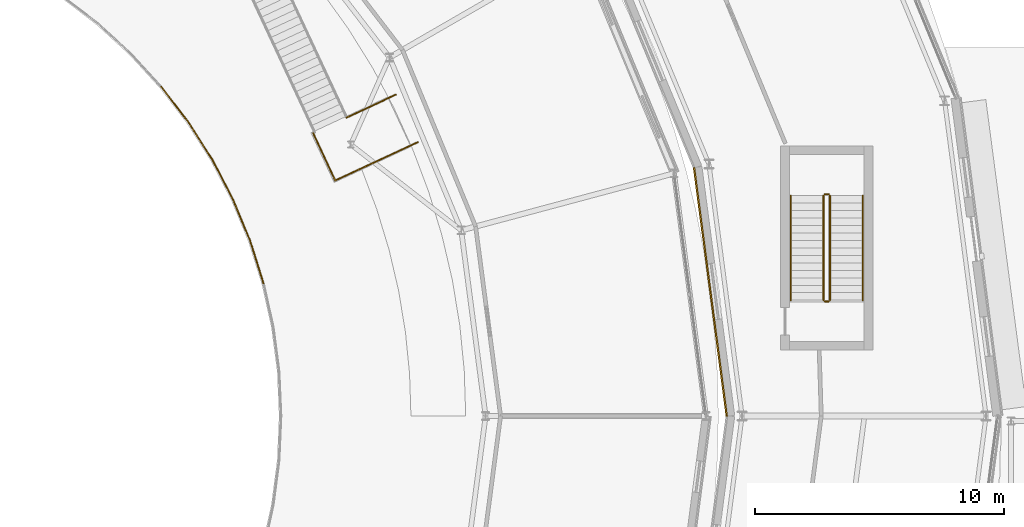
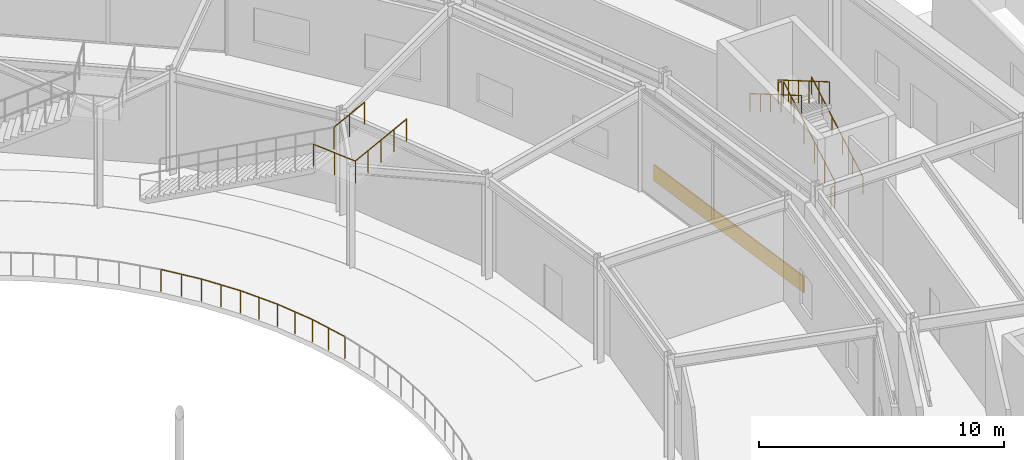
# One storey, part 151 of 168: 13 railings, 1 covering.
"""IFC4 building model written with IfcOpenShell, lengths in metres."""

from ifc_helpers import new_model, si_unit, direction, frame, origin, origin_2d, place, context, subcontext, project, spatial, rectangle, circle, extrude, material, layer, layer_set, type_object, element, save


model = new_model("IFC4")

# Units and contexts
model_context = context("Model", 3, precision=1e-05, world=origin(), true_north=direction((0.0, 1.0)))
body_context = subcontext(model_context, "Body", "Model", "MODEL_VIEW")
ifc_project = project(units=[si_unit("LENGTHUNIT", "METRE"), si_unit("AREAUNIT", "SQUARE_METRE"), si_unit("VOLUMEUNIT", "CUBIC_METRE"), si_unit("PLANEANGLEUNIT", "RADIAN"), si_unit("MASSUNIT", "GRAM", prefix="KILO")], contexts=[model_context])

# Site, building, storey
site_placement = place(None, origin())
site = spatial("IfcSite", under=ifc_project, at=site_placement, CompositionType="ELEMENT")
building_placement = place(site_placement, origin())
building = spatial("IfcBuilding", under=site, at=building_placement, Name="Almandine Court Research Institute", CompositionType="ELEMENT")
storey_placement = place(building_placement, origin())
storey = spatial("IfcBuildingStorey", under=building, at=storey_placement, Name="L00", CompositionType="ELEMENT", Elevation=0.0)

# Covering
ifc_material_1 = material(Name="Honed Andean Red-Buff Sandstone Cladding", Category="masonry")
ifc_layer = layer(ifc_material_1, 0.06494140625)
ifc_layer_set = layer_set([ifc_layer], Name="Honed Andean Red-Buff Sandstone Cladding")
covering_type = type_object("IfcCoveringType", Name="Cov-CLAD-SAND", PredefinedType="CLADDING", material=ifc_layer_set)
covering_placement = place(storey_placement, frame((124.827880859375, 60.97998046875, 0.02001953125), z_axis=(0.0, 0.0, 1.0), x_axis=(-0.13052619222, 0.991444861374, 0.0)))
element("IfcCovering", 1, at=covering_placement, inside=storey, type_object=covering_type, Name="L00 Facade Spandrel Cladding Band 261", PredefinedType="CLADDING", context=body_context, shape_type="SweptSolid", body=[
    extrude(rectangle(XDim=10.080078125, YDim=0.06494140625, at=origin_2d()), origin(), (0.0, 0.0, 1.0), 0.800048828125),
])

# Railings
ifc_material_2 = material(Name="Powder-Coated Steel Stair and Atrium Balustrade", Category="steel")
railing_type_1 = type_object("IfcRailingType", Name="Rail-GUARD-INT", PredefinedType="BALUSTRADE", material=ifc_material_2)
railing_1_placement = place(storey_placement, frame((129.6298828125, 60.64990234375, 0.175048828125)))
element("IfcRailing", 2, at=railing_1_placement, inside=storey, type_object=railing_type_1, Name="L00 ST-14 stair guard 1", PredefinedType="BALUSTRADE", context=body_context, shape_type="SweptSolid", body=[
    extrude(circle(Radius=0.02392578125, at=origin_2d()), frame((0.0, 0.0, 1.09619140625), z_axis=(0.0, 0.863793468915, 0.503846050951), x_axis=(-1.0, 0.0, 0.0)), (0.0, 0.0, 1.0), 4.862548828125),
    extrude(circle(Radius=0.02099609375, at=origin_2d()), origin(), (0.0, 0.0, 1.0), 1.072021484375),
    extrude(circle(Radius=0.02099609375, at=origin_2d()), frame((0.0, 0.840087890625, 0.489990234375)), (0.0, 0.0, 1.0), 1.072021484375),
    extrude(circle(Radius=0.02099609375, at=origin_2d()), frame((0.0, 1.68017578125, 0.97998046875)), (0.0, 0.0, 1.0), 1.072021484375),
    extrude(circle(Radius=0.02099609375, at=origin_2d()), frame((0.0, 2.52001953125, 1.469970703125)), (0.0, 0.0, 1.0), 1.072021484375),
    extrude(circle(Radius=0.02099609375, at=origin_2d()), frame((0.0, 3.360107421875, 1.9599609375)), (0.0, 0.0, 1.0), 1.072021484375),
    extrude(circle(Radius=0.02099609375, at=origin_2d()), frame((0.0, 4.2001953125, 2.449951171875)), (0.0, 0.0, 1.0), 1.072021484375),
])
railing_2_placement = place(storey_placement, frame((129.580078125, 64.89990234375, 2.625)))
element("IfcRailing", 3, at=railing_2_placement, inside=storey, type_object=railing_type_1, Name="L00 ST-14 stair guard 2", PredefinedType="BALUSTRADE", context=body_context, shape_type="SweptSolid", body=[
    extrude(circle(Radius=0.02392578125, at=origin_2d()), frame((0.0, 0.0, 1.09619140625), z_axis=(-1.0, 0.0, 0.0), x_axis=(0.0, -1.0, 0.0)), (0.0, 0.0, 1.0), 0.16015625),
    extrude(circle(Radius=0.02099609375, at=origin_2d()), origin(), (0.0, 0.0, 1.0), 1.072021484375),
    extrude(circle(Radius=0.02099609375, at=origin_2d()), frame((-0.16015625, 0.0, 0.0)), (0.0, 0.0, 1.0), 1.072021484375),
])
railing_3_placement = place(storey_placement, frame((129.3701171875, 64.85009765625, 2.800048828125)))
element("IfcRailing", 4, at=railing_3_placement, inside=storey, type_object=railing_type_1, Name="L00 ST-14 stair guard 3", PredefinedType="BALUSTRADE", context=body_context, shape_type="SweptSolid", body=[
    extrude(circle(Radius=0.02392578125, at=origin_2d()), frame((0.0, 0.0, 1.09619140625), z_axis=(0.0, -0.863793468915, 0.503846050951), x_axis=(1.0, 0.0, 0.0)), (0.0, 0.0, 1.0), 4.862548828125),
    extrude(circle(Radius=0.02099609375, at=origin_2d()), origin(), (0.0, 0.0, 1.0), 1.072021484375),
    extrude(circle(Radius=0.02099609375, at=origin_2d()), frame((0.0, -0.840087890625, 0.489990234375)), (0.0, 0.0, 1.0), 1.072021484375),
    extrude(circle(Radius=0.02099609375, at=origin_2d()), frame((0.0, -1.68017578125, 0.97998046875)), (0.0, 0.0, 1.0), 1.072021484375),
    extrude(circle(Radius=0.02099609375, at=origin_2d()), frame((0.0, -2.52001953125, 1.469970703125)), (0.0, 0.0, 1.0), 1.072021484375),
    extrude(circle(Radius=0.02099609375, at=origin_2d()), frame((0.0, -3.360107421875, 1.9599609375)), (0.0, 0.0, 1.0), 1.072021484375),
    extrude(circle(Radius=0.02099609375, at=origin_2d()), frame((0.0, -4.2001953125, 2.449951171875)), (0.0, 0.0, 1.0), 1.072021484375),
])
railing_4_placement = place(storey_placement, frame((129.580078125, 60.60009765625, 0.0)))
element("IfcRailing", 5, at=railing_4_placement, inside=storey, type_object=railing_type_1, Name="L00 ST-14 stair guard 4", PredefinedType="BALUSTRADE", context=body_context, shape_type="SweptSolid", body=[
    extrude(circle(Radius=0.02392578125, at=origin_2d()), frame((0.0, 0.0, 1.09619140625), z_axis=(-1.0, 0.0, 0.0), x_axis=(0.0, -1.0, 0.0)), (0.0, 0.0, 1.0), 0.16015625),
    extrude(circle(Radius=0.02099609375, at=origin_2d()), origin(), (0.0, 0.0, 1.0), 1.072021484375),
    extrude(circle(Radius=0.02099609375, at=origin_2d()), frame((-0.16015625, 0.0, 0.0)), (0.0, 0.0, 1.0), 1.072021484375),
])
railing_5_placement = place(storey_placement, frame((110.2109375, 67.98193359375, 5.25)))
element("IfcRailing", 6, at=railing_5_placement, inside=storey, type_object=railing_type_1, Name="L00 ST-AT-01 Landing Near Return Guard", PredefinedType="BALUSTRADE", context=body_context, shape_type="SweptSolid", body=[
    extrude(circle(Radius=0.02392578125, at=origin_2d()), frame((0.0, 0.0, 1.09619140625), z_axis=(0.906363287717, 0.422499219738, 0.0), x_axis=(-0.422499219738, 0.906363287717, 0.0)), (0.0, 0.0, 1.0), 2.18017578125),
    extrude(circle(Radius=0.02099609375, at=origin_2d()), origin(), (0.0, 0.0, 1.0), 1.072021484375),
    extrude(circle(Radius=0.02099609375, at=origin_2d()), frame((0.988037109375, 0.46044921875, 0.0)), (0.0, 0.0, 1.0), 1.072021484375),
    extrude(circle(Radius=0.02099609375, at=origin_2d()), frame((1.97607421875, 0.921142578125, 0.0)), (0.0, 0.0, 1.0), 1.072021484375),
])
railing_6_placement = place(storey_placement, frame((108.8701171875, 67.35595703125, 5.25)))
element("IfcRailing", 7, at=railing_6_placement, inside=storey, type_object=railing_type_1, Name="L00 ST-AT-01 Landing Outer Wrap Guard", PredefinedType="BALUSTRADE", context=body_context, shape_type="SweptSolid", body=[
    extrude(circle(Radius=0.02392578125, at=origin_2d()), frame((0.0, 0.0, 1.09619140625), z_axis=(0.422439821381, -0.906390973759, 0.0), x_axis=(0.906390973759, 0.422439821381, 0.0)), (0.0, 0.0, 1.0), 2.099609375),
    extrude(circle(Radius=0.02392578125, at=origin_2d()), frame((0.886962890625, -1.903076171875, 1.09619140625), z_axis=(0.906263219234, 0.422713824547, 0.0), x_axis=(-0.422713824547, 0.906263219234, 0.0)), (0.0, 0.0, 1.0), 3.659912109375),
    extrude(circle(Radius=0.02099609375, at=origin_2d()), origin(), (0.0, 0.0, 1.0), 1.072021484375),
    extrude(circle(Radius=0.02099609375, at=origin_2d()), frame((0.443359375, -0.95166015625, 0.0)), (0.0, 0.0, 1.0), 1.072021484375),
    extrude(circle(Radius=0.02099609375, at=origin_2d()), frame((0.886962890625, -1.903076171875, 0.0)), (0.0, 0.0, 1.0), 1.072021484375),
    extrude(circle(Radius=0.02099609375, at=origin_2d()), frame((1.71630859375, -1.516357421875, 0.0)), (0.0, 0.0, 1.0), 1.072021484375),
    extrude(circle(Radius=0.02099609375, at=origin_2d()), frame((2.54541015625, -1.12939453125, 0.0)), (0.0, 0.0, 1.0), 1.072021484375),
    extrude(circle(Radius=0.02099609375, at=origin_2d()), frame((3.37451171875, -0.74267578125, 0.0)), (0.0, 0.0, 1.0), 1.072021484375),
    extrude(circle(Radius=0.02099609375, at=origin_2d()), frame((4.203857421875, -0.35595703125, 0.0)), (0.0, 0.0, 1.0), 1.072021484375),
])
railing_7_placement = place(storey_placement, frame((106.87890625, 61.325927734375, 0.0)))
element("IfcRailing", 8, at=railing_7_placement, inside=storey, type_object=railing_type_1, Name="L00 Central Hauz Rainwater Court Balustrade 04", PredefinedType="BALUSTRADE", context=body_context, shape_type="SweptSolid", body=[
    extrude(circle(Radius=0.02392578125, at=origin_2d()), frame((0.0, 0.0, 1.09619140625), z_axis=(-0.300526328994, 0.953773519019, 0.0), x_axis=(-0.953773519019, -0.300526328994, 0.0)), (0.0, 0.0, 1.0), 1.796142578125),
    extrude(circle(Radius=0.02099609375, at=origin_2d()), origin(), (0.0, 0.0, 1.0), 1.072021484375),
    extrude(circle(Radius=0.02099609375, at=origin_2d()), frame((-0.27001953125, 0.8564453125, 0.0)), (0.0, 0.0, 1.0), 1.072021484375),
    extrude(circle(Radius=0.02099609375, at=origin_2d()), frame((-0.539794921875, 1.713134765625, 0.0)), (0.0, 0.0, 1.0), 1.072021484375),
])
railing_8_placement = place(storey_placement, frame((106.339111328125, 63.0390625, 0.0)))
element("IfcRailing", 9, at=railing_8_placement, inside=storey, type_object=railing_type_1, Name="L00 Central Hauz Rainwater Court Balustrade 05", PredefinedType="BALUSTRADE", context=body_context, shape_type="SweptSolid", body=[
    extrude(circle(Radius=0.02392578125, at=origin_2d()), frame((0.0, 0.0, 1.09619140625), z_axis=(-0.382808333433, 0.923827786903, 0.0), x_axis=(-0.923827786903, -0.382808333433, 0.0)), (0.0, 0.0, 1.0), 1.794677734375),
    extrude(circle(Radius=0.02099609375, at=origin_2d()), origin(), (0.0, 0.0, 1.0), 1.072021484375),
    extrude(circle(Radius=0.02099609375, at=origin_2d()), frame((-0.343505859375, 0.8291015625, 0.0)), (0.0, 0.0, 1.0), 1.072021484375),
    extrude(circle(Radius=0.02099609375, at=origin_2d()), frame((-0.68701171875, 1.657958984375, 0.0)), (0.0, 0.0, 1.0), 1.072021484375),
])
railing_9_placement = place(storey_placement, frame((105.652099609375, 64.697021484375, 0.0)))
element("IfcRailing", 10, at=railing_9_placement, inside=storey, type_object=railing_type_1, Name="L00 Central Hauz Rainwater Court Balustrade 06", PredefinedType="BALUSTRADE", context=body_context, shape_type="SweptSolid", body=[
    extrude(circle(Radius=0.02392578125, at=origin_2d()), frame((0.0, 0.0, 1.09619140625), z_axis=(-0.461673738391, 0.887049806538, 0.0), x_axis=(-0.887049806538, -0.461673738391, 0.0)), (0.0, 0.0, 1.0), 1.7958984375),
    extrude(circle(Radius=0.02099609375, at=origin_2d()), origin(), (0.0, 0.0, 1.0), 1.072021484375),
    extrude(circle(Radius=0.02099609375, at=origin_2d()), frame((-0.41455078125, 0.79638671875, 0.0)), (0.0, 0.0, 1.0), 1.072021484375),
    extrude(circle(Radius=0.02099609375, at=origin_2d()), frame((-0.8291015625, 1.593017578125, 0.0)), (0.0, 0.0, 1.0), 1.072021484375),
])
railing_10_placement = place(storey_placement, frame((104.822998046875, 66.2900390625, 0.0)))
element("IfcRailing", 11, at=railing_10_placement, inside=storey, type_object=railing_type_1, Name="L00 Central Hauz Rainwater Court Balustrade 07", PredefinedType="BALUSTRADE", context=body_context, shape_type="SweptSolid", body=[
    extrude(circle(Radius=0.02392578125, at=origin_2d()), frame((0.0, 0.0, 1.09619140625), z_axis=(-0.537544043976, 0.843235673336, 0.0), x_axis=(-0.843235673336, -0.537544043976, 0.0)), (0.0, 0.0, 1.0), 1.79541015625),
    extrude(circle(Radius=0.02099609375, at=origin_2d()), origin(), (0.0, 0.0, 1.0), 1.072021484375),
    extrude(circle(Radius=0.02099609375, at=origin_2d()), frame((-0.482421875, 0.7568359375, 0.0)), (0.0, 0.0, 1.0), 1.072021484375),
    extrude(circle(Radius=0.02099609375, at=origin_2d()), frame((-0.965087890625, 1.513916015625, 0.0)), (0.0, 0.0, 1.0), 1.072021484375),
])
railing_11_placement = place(storey_placement, frame((103.85791015625, 67.803955078125, 0.0)))
element("IfcRailing", 12, at=railing_11_placement, inside=storey, type_object=railing_type_1, Name="L00 Central Hauz Rainwater Court Balustrade 08", PredefinedType="BALUSTRADE", context=body_context, shape_type="SweptSolid", body=[
    extrude(circle(Radius=0.02392578125, at=origin_2d()), frame((0.0, 0.0, 1.09619140625), z_axis=(-0.608599908148, 0.793477253487, 0.0), x_axis=(-0.793477253487, -0.608599908148, 0.0)), (0.0, 0.0, 1.0), 1.7958984375),
    extrude(circle(Radius=0.02099609375, at=origin_2d()), origin(), (0.0, 0.0, 1.0), 1.072021484375),
    extrude(circle(Radius=0.02099609375, at=origin_2d()), frame((-0.54638671875, 0.71240234375, 0.0)), (0.0, 0.0, 1.0), 1.072021484375),
    extrude(circle(Radius=0.02099609375, at=origin_2d()), frame((-1.093017578125, 1.425048828125, 0.0)), (0.0, 0.0, 1.0), 1.072021484375),
])
ifc_material_3 = material(Name="Brushed Stainless Steel Wall Handrail", Category="steel")
railing_type_2 = type_object("IfcRailingType", Name="Rail-HAND-INT", PredefinedType="HANDRAIL", material=ifc_material_3)
railing_12_placement = place(storey_placement, frame((130.949951171875, 60.64990234375, 0.175048828125)))
element("IfcRailing", 13, at=railing_12_placement, inside=storey, type_object=railing_type_2, Name="L00 ST-14 stair handrail 1", PredefinedType="HANDRAIL", context=body_context, shape_type="SweptSolid", body=[
    extrude(circle(Radius=0.02392578125, at=origin_2d()), frame((0.0, 0.0, 0.8759765625), z_axis=(0.0, 0.863793468915, 0.503846050951), x_axis=(-1.0, 0.0, 0.0)), (0.0, 0.0, 1.0), 4.862548828125),
    extrude(circle(Radius=0.02099609375, at=origin_2d()), origin(), (0.0, 0.0, 1.0), 0.851806640625),
    extrude(circle(Radius=0.02099609375, at=origin_2d()), frame((0.0, 0.840087890625, 0.489990234375)), (0.0, 0.0, 1.0), 0.851806640625),
    extrude(circle(Radius=0.02099609375, at=origin_2d()), frame((0.0, 1.68017578125, 0.97998046875)), (0.0, 0.0, 1.0), 0.851806640625),
    extrude(circle(Radius=0.02099609375, at=origin_2d()), frame((0.0, 2.52001953125, 1.469970703125)), (0.0, 0.0, 1.0), 0.851806640625),
    extrude(circle(Radius=0.02099609375, at=origin_2d()), frame((0.0, 3.360107421875, 1.9599609375)), (0.0, 0.0, 1.0), 0.851806640625),
    extrude(circle(Radius=0.02099609375, at=origin_2d()), frame((0.0, 4.2001953125, 2.449951171875)), (0.0, 0.0, 1.0), 0.851806640625),
])
railing_13_placement = place(storey_placement, frame((128.050048828125, 64.85009765625, 2.800048828125)))
element("IfcRailing", 14, at=railing_13_placement, inside=storey, type_object=railing_type_2, Name="L00 ST-14 stair handrail 2", PredefinedType="HANDRAIL", context=body_context, shape_type="SweptSolid", body=[
    extrude(circle(Radius=0.02392578125, at=origin_2d()), frame((0.0, 0.0, 0.8759765625), z_axis=(0.0, -0.863793468915, 0.503846050951), x_axis=(1.0, 0.0, 0.0)), (0.0, 0.0, 1.0), 4.862548828125),
    extrude(circle(Radius=0.02099609375, at=origin_2d()), origin(), (0.0, 0.0, 1.0), 0.851806640625),
    extrude(circle(Radius=0.02099609375, at=origin_2d()), frame((0.0, -0.840087890625, 0.489990234375)), (0.0, 0.0, 1.0), 0.851806640625),
    extrude(circle(Radius=0.02099609375, at=origin_2d()), frame((0.0, -1.68017578125, 0.97998046875)), (0.0, 0.0, 1.0), 0.851806640625),
    extrude(circle(Radius=0.02099609375, at=origin_2d()), frame((0.0, -2.52001953125, 1.469970703125)), (0.0, 0.0, 1.0), 0.851806640625),
    extrude(circle(Radius=0.02099609375, at=origin_2d()), frame((0.0, -3.360107421875, 1.9599609375)), (0.0, 0.0, 1.0), 0.851806640625),
    extrude(circle(Radius=0.02099609375, at=origin_2d()), frame((0.0, -4.2001953125, 2.449951171875)), (0.0, 0.0, 1.0), 0.851806640625),
])

save(model, "model.ifc")
